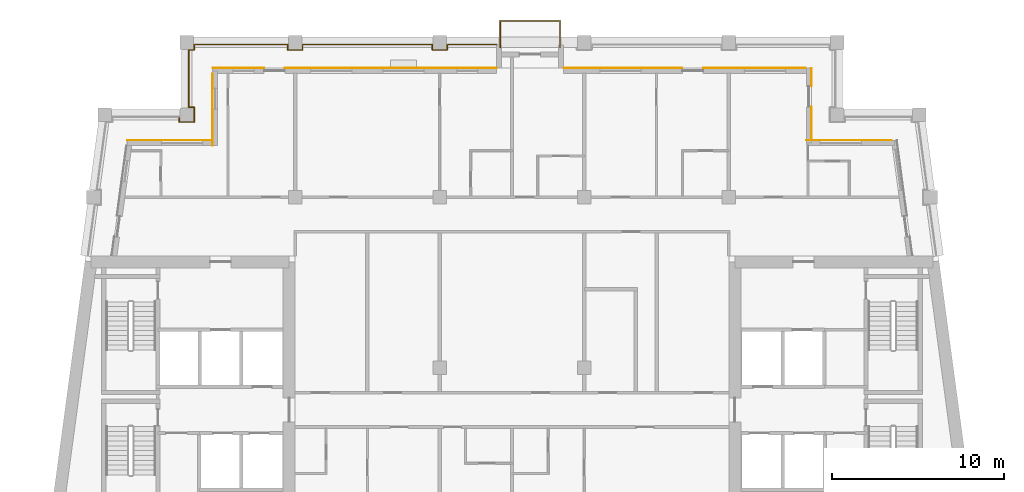
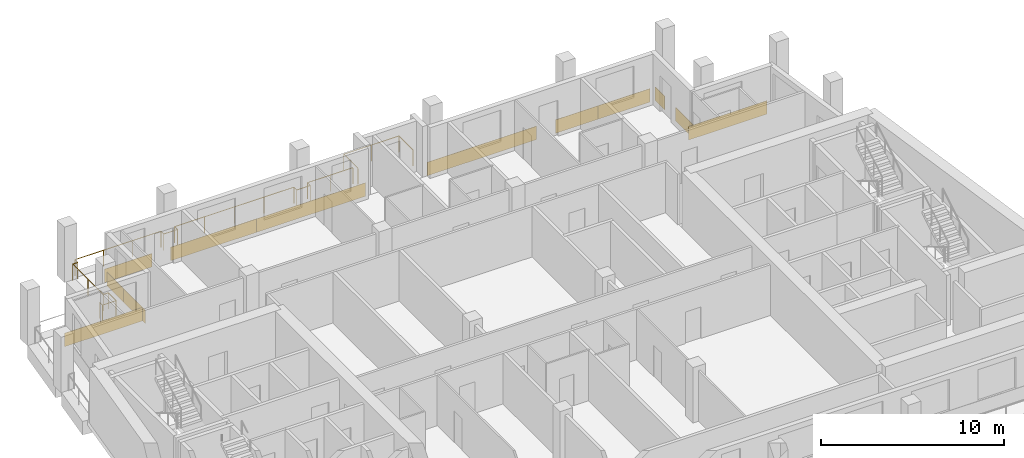
# One storey, part 12 of 13: 12 coverings, 2 railings.
"""IFC4 building model written with IfcOpenShell, lengths in metres."""

from ifc_helpers import new_model, si_unit, direction, frame, origin, origin_2d, place, context, subcontext, project, spatial, rectangle, circle, extrude, material, layer, layer_set, type_object, element, save


model = new_model("IFC4")

# Units and contexts
model_context = context("Model", 3, precision=1e-05, world=origin(), true_north=direction((0.0, 1.0)))
body_context = subcontext(model_context, "Body", "Model", "MODEL_VIEW")
ifc_project = project(units=[si_unit("LENGTHUNIT", "METRE"), si_unit("AREAUNIT", "SQUARE_METRE"), si_unit("VOLUMEUNIT", "CUBIC_METRE"), si_unit("PLANEANGLEUNIT", "RADIAN"), si_unit("MASSUNIT", "GRAM", prefix="KILO")], contexts=[model_context])

# Site, building, storey
site_placement = place(None, origin())
site = spatial("IfcSite", under=ifc_project, at=site_placement, CompositionType="ELEMENT")
building_placement = place(site_placement, origin())
building = spatial("IfcBuilding", under=site, at=building_placement, Name="Candeia Pilgrim Tower and Theatre", CompositionType="ELEMENT")
storey_placement = place(building_placement, frame((0.0, 0.0, 262.699951171875)))
storey = spatial("IfcBuildingStorey", under=building, at=storey_placement, Name="L63", CompositionType="ELEMENT", Elevation=262.699951171875)

# Railings
ifc_material_1 = material(Name="Stainless steel balustrade", Category="steel")
railing_type = type_object("IfcRailingType", Name="G1 loggia guard 1100", PredefinedType="GUARDRAIL", material=ifc_material_1)
railing_1_placement = place(storey_placement, frame((94.070068359375, 140.47998046875, 0.0)))
element("IfcRailing", 1, at=railing_1_placement, inside=storey, type_object=railing_type, Name="Guard L63.1", PredefinedType="GUARDRAIL", context=body_context, shape_type="SweptSolid", body=[
    extrude(circle(Radius=0.02392578125, at=origin_2d()), frame((0.0, 0.0, 1.076171875), z_axis=(0.0, -1.0, 0.0), x_axis=(1.0, 0.0, 0.0)), (0.0, 0.0, 1.0), 0.31005859375),
    extrude(circle(Radius=0.02392578125, at=origin_2d()), frame((0.0, -0.31005859375, 1.076171875), z_axis=(1.0, 0.0, 0.0), x_axis=(0.0, 1.0, 0.0)), (0.0, 0.0, 1.0), 0.85986328125),
    extrude(circle(Radius=0.02392578125, at=origin_2d()), frame((0.85986328125, -0.31005859375, 1.076171875), z_axis=(0.0, 1.0, 0.0), x_axis=(-1.0, 0.0, 0.0)), (0.0, 0.0, 1.0), 0.860107421875),
    extrude(circle(Radius=0.02392578125, at=origin_2d()), frame((0.85986328125, 0.550048828125, 1.076171875), z_axis=(-1.0, 0.0, 0.0), x_axis=(0.0, -1.0, 0.0)), (0.0, 0.0, 1.0), 0.309814453125),
    extrude(circle(Radius=0.02392578125, at=origin_2d()), frame((0.550048828125, 0.550048828125, 1.076171875), z_axis=(0.0, 1.0, 0.0), x_axis=(-1.0, 0.0, 0.0)), (0.0, 0.0, 1.0), 3.340087890625),
    extrude(circle(Radius=0.02392578125, at=origin_2d()), frame((0.550048828125, 3.89013671875, 1.076171875), z_axis=(1.0, 0.0, 0.0), x_axis=(0.0, 1.0, 0.0)), (0.0, 0.0, 1.0), 0.309814453125),
    extrude(circle(Radius=0.02392578125, at=origin_2d()), frame((0.85986328125, 3.89013671875, 1.076171875), z_axis=(0.0, 1.0, 0.0), x_axis=(-1.0, 0.0, 0.0)), (0.0, 0.0, 1.0), 0.309814453125),
    extrude(circle(Radius=0.02392578125, at=origin_2d()), frame((0.85986328125, 4.199951171875, 1.076171875), z_axis=(1.0, 0.0, 0.0), x_axis=(0.0, 1.0, 0.0)), (0.0, 0.0, 1.0), 5.440185546875),
    extrude(circle(Radius=0.02392578125, at=origin_2d()), frame((6.300048828125, 4.199951171875, 1.076171875), z_axis=(0.0, -1.0, 0.0), x_axis=(1.0, 0.0, 0.0)), (0.0, 0.0, 1.0), 0.309814453125),
    extrude(circle(Radius=0.02392578125, at=origin_2d()), frame((6.300048828125, 3.89013671875, 1.076171875), z_axis=(1.0, 0.0, 0.0), x_axis=(0.0, 1.0, 0.0)), (0.0, 0.0, 1.0), 0.85986328125),
    extrude(circle(Radius=0.02392578125, at=origin_2d()), frame((7.159912109375, 3.89013671875, 1.076171875), z_axis=(0.0, 1.0, 0.0), x_axis=(-1.0, 0.0, 0.0)), (0.0, 0.0, 1.0), 0.309814453125),
    extrude(circle(Radius=0.02392578125, at=origin_2d()), frame((7.159912109375, 4.199951171875, 1.076171875), z_axis=(1.0, 0.0, 0.0), x_axis=(0.0, 1.0, 0.0)), (0.0, 0.0, 1.0), 7.5400390625),
    extrude(circle(Radius=0.02392578125, at=origin_2d()), frame((14.699951171875, 4.199951171875, 1.076171875), z_axis=(0.0, -1.0, 0.0), x_axis=(1.0, 0.0, 0.0)), (0.0, 0.0, 1.0), 0.309814453125),
    extrude(circle(Radius=0.02392578125, at=origin_2d()), frame((14.699951171875, 3.89013671875, 1.076171875), z_axis=(1.0, 0.0, 0.0), x_axis=(0.0, 1.0, 0.0)), (0.0, 0.0, 1.0), 0.85986328125),
    extrude(circle(Radius=0.02392578125, at=origin_2d()), frame((15.559814453125, 3.89013671875, 1.076171875), z_axis=(0.0, 1.0, 0.0), x_axis=(-1.0, 0.0, 0.0)), (0.0, 0.0, 1.0), 0.309814453125),
    extrude(circle(Radius=0.02392578125, at=origin_2d()), frame((15.559814453125, 4.199951171875, 1.076171875), z_axis=(1.0, 0.0, 0.0), x_axis=(0.0, 1.0, 0.0)), (0.0, 0.0, 1.0), 2.8701171875),
    extrude(circle(Radius=0.02099609375, at=origin_2d()), origin(), (0.0, 0.0, 1.0), 1.052001953125),
    extrude(circle(Radius=0.02099609375, at=origin_2d()), frame((0.0, -0.31005859375, 0.0)), (0.0, 0.0, 1.0), 1.052001953125),
    extrude(circle(Radius=0.02099609375, at=origin_2d()), frame((0.85986328125, -0.31005859375, 0.0)), (0.0, 0.0, 1.0), 1.052001953125),
    extrude(circle(Radius=0.02099609375, at=origin_2d()), frame((0.85986328125, 0.550048828125, 0.0)), (0.0, 0.0, 1.0), 1.052001953125),
    extrude(circle(Radius=0.02099609375, at=origin_2d()), frame((0.550048828125, 0.550048828125, 0.0)), (0.0, 0.0, 1.0), 1.052001953125),
    extrude(circle(Radius=0.02099609375, at=origin_2d()), frame((0.550048828125, 2.22021484375, 0.0)), (0.0, 0.0, 1.0), 1.052001953125),
    extrude(circle(Radius=0.02099609375, at=origin_2d()), frame((0.550048828125, 3.89013671875, 0.0)), (0.0, 0.0, 1.0), 1.052001953125),
    extrude(circle(Radius=0.02099609375, at=origin_2d()), frame((0.85986328125, 3.89013671875, 0.0)), (0.0, 0.0, 1.0), 1.052001953125),
    extrude(circle(Radius=0.02099609375, at=origin_2d()), frame((0.85986328125, 4.199951171875, 0.0)), (0.0, 0.0, 1.0), 1.052001953125),
    extrude(circle(Radius=0.02099609375, at=origin_2d()), frame((2.67333984375, 4.199951171875, 0.0)), (0.0, 0.0, 1.0), 1.052001953125),
    extrude(circle(Radius=0.02099609375, at=origin_2d()), frame((4.486572265625, 4.199951171875, 0.0)), (0.0, 0.0, 1.0), 1.052001953125),
    extrude(circle(Radius=0.02099609375, at=origin_2d()), frame((6.300048828125, 4.199951171875, 0.0)), (0.0, 0.0, 1.0), 1.052001953125),
    extrude(circle(Radius=0.02099609375, at=origin_2d()), frame((6.300048828125, 3.89013671875, 0.0)), (0.0, 0.0, 1.0), 1.052001953125),
    extrude(circle(Radius=0.02099609375, at=origin_2d()), frame((7.159912109375, 3.89013671875, 0.0)), (0.0, 0.0, 1.0), 1.052001953125),
    extrude(circle(Radius=0.02099609375, at=origin_2d()), frame((7.159912109375, 4.199951171875, 0.0)), (0.0, 0.0, 1.0), 1.052001953125),
    extrude(circle(Radius=0.02099609375, at=origin_2d()), frame((9.044921875, 4.199951171875, 0.0)), (0.0, 0.0, 1.0), 1.052001953125),
    extrude(circle(Radius=0.02099609375, at=origin_2d()), frame((10.929931640625, 4.199951171875, 0.0)), (0.0, 0.0, 1.0), 1.052001953125),
    extrude(circle(Radius=0.02099609375, at=origin_2d()), frame((12.81494140625, 4.199951171875, 0.0)), (0.0, 0.0, 1.0), 1.052001953125),
    extrude(circle(Radius=0.02099609375, at=origin_2d()), frame((14.699951171875, 4.199951171875, 0.0)), (0.0, 0.0, 1.0), 1.052001953125),
    extrude(circle(Radius=0.02099609375, at=origin_2d()), frame((14.699951171875, 3.89013671875, 0.0)), (0.0, 0.0, 1.0), 1.052001953125),
    extrude(circle(Radius=0.02099609375, at=origin_2d()), frame((15.559814453125, 3.89013671875, 0.0)), (0.0, 0.0, 1.0), 1.052001953125),
    extrude(circle(Radius=0.02099609375, at=origin_2d()), frame((15.559814453125, 4.199951171875, 0.0)), (0.0, 0.0, 1.0), 1.052001953125),
    extrude(circle(Radius=0.02099609375, at=origin_2d()), frame((16.994873046875, 4.199951171875, 0.0)), (0.0, 0.0, 1.0), 1.052001953125),
    extrude(circle(Radius=0.02099609375, at=origin_2d()), frame((18.429931640625, 4.199951171875, 0.0)), (0.0, 0.0, 1.0), 1.052001953125),
])
railing_2_placement = place(storey_placement, frame((112.7099609375, 144.5, 0.0)))
element("IfcRailing", 2, at=railing_2_placement, inside=storey, type_object=railing_type, Name="Balcony guard L63", PredefinedType="GUARDRAIL", context=body_context, shape_type="SweptSolid", body=[
    extrude(circle(Radius=0.02392578125, at=origin_2d()), frame((0.0, 0.0, 1.076171875), z_axis=(0.0, 1.0, 0.0), x_axis=(-1.0, 0.0, 0.0)), (0.0, 0.0, 1.0), 1.5400390625),
    extrude(circle(Radius=0.02392578125, at=origin_2d()), frame((0.0, 1.5400390625, 1.076171875), z_axis=(1.0, 0.0, 0.0), x_axis=(0.0, 1.0, 0.0)), (0.0, 0.0, 1.0), 3.47998046875),
    extrude(circle(Radius=0.02392578125, at=origin_2d()), frame((3.47998046875, 1.5400390625, 1.076171875), z_axis=(0.0, -1.0, 0.0), x_axis=(1.0, 0.0, 0.0)), (0.0, 0.0, 1.0), 1.5400390625),
    extrude(circle(Radius=0.02099609375, at=origin_2d()), origin(), (0.0, 0.0, 1.0), 1.052001953125),
    extrude(circle(Radius=0.02099609375, at=origin_2d()), frame((0.0, 1.5400390625, 0.0)), (0.0, 0.0, 1.0), 1.052001953125),
    extrude(circle(Radius=0.02099609375, at=origin_2d()), frame((1.739990234375, 1.5400390625, 0.0)), (0.0, 0.0, 1.0), 1.052001953125),
    extrude(circle(Radius=0.02099609375, at=origin_2d()), frame((3.47998046875, 1.5400390625, 0.0)), (0.0, 0.0, 1.0), 1.052001953125),
    extrude(circle(Radius=0.02099609375, at=origin_2d()), frame((3.47998046875, 0.0, 0.0)), (0.0, 0.0, 1.0), 1.052001953125),
])

# Coverings
ifc_material_2 = material(Name="Glazed ceramic tile bottle green")
ifc_layer_1 = layer(ifc_material_2, 0.02001953125)
ifc_layer_set_1 = layer_set([ifc_layer_1], Name="Glazed ceramic tile bottle green")
covering_type_1 = type_object("IfcCoveringType", Name="Glazed ceramic tile bottle green", PredefinedType="CLADDING", material=ifc_layer_set_1)
covering_1_placement = place(storey_placement, frame((132.976318359375, 139.110107421875, 0.0), z_axis=(0.0, 0.0, 1.0), x_axis=(-1.0, 0.0, 0.0)))
element("IfcCovering", 3, at=covering_1_placement, inside=storey, type_object=covering_type_1, Name="Tile cladding bottle green L63", PredefinedType="CLADDING", context=body_context, shape_type="SweptSolid", body=[
    extrude(rectangle(XDim=4.95263671875, YDim=0.02001953125, at=origin_2d()), origin(), (0.0, 0.0, 1.0), 0.89990234375),
])
covering_2_placement = place(storey_placement, frame((130.81005859375, 142.77490234375, 0.0), z_axis=(0.0, 0.0, 1.0), x_axis=(0.0, 1.0, 0.0)))
element("IfcCovering", 4, at=covering_2_placement, inside=storey, type_object=covering_type_1, Name="Tile cladding bottle green L63", PredefinedType="CLADDING", context=body_context, shape_type="SweptSolid", body=[
    extrude(rectangle(XDim=1.050048828125, YDim=0.02001953125, at=origin_2d()), origin(), (0.0, 0.0, 1.0), 0.89990234375),
])
covering_3_placement = place(storey_placement, frame((128.840087890625, 143.31005859375, 0.0), z_axis=(0.0, 0.0, 1.0), x_axis=(-1.0, 0.0, 0.0)))
element("IfcCovering", 5, at=covering_3_placement, inside=storey, type_object=covering_type_1, Name="Tile cladding bottle green L63", PredefinedType="CLADDING", context=body_context, shape_type="SweptSolid", body=[
    extrude(rectangle(XDim=3.280029296875, YDim=0.02001953125, at=origin_2d()), origin(), (0.0, 0.0, 1.0), 0.89990234375),
])
covering_4_placement = place(storey_placement, frame((102.89990234375, 143.31005859375, 0.0), z_axis=(0.0, 0.0, 1.0), x_axis=(-1.0, 0.0, 0.0)))
element("IfcCovering", 6, at=covering_4_placement, inside=storey, type_object=covering_type_1, Name="Tile cladding bottle green L63", PredefinedType="CLADDING", context=body_context, shape_type="SweptSolid", body=[
    extrude(rectangle(XDim=5.39990234375, YDim=0.02001953125, at=origin_2d()), origin(), (0.0, 0.0, 1.0), 0.89990234375),
])
covering_5_placement = place(storey_placement, frame((97.5, 143.31005859375, 0.0), z_axis=(0.0, 0.0, 1.0), x_axis=(-1.0, 0.0, 0.0)))
element("IfcCovering", 7, at=covering_5_placement, inside=storey, type_object=covering_type_1, Name="Tile cladding bottle green L63", PredefinedType="CLADDING", context=body_context, shape_type="SweptSolid", body=[
    extrude(rectangle(XDim=3.0, YDim=0.02001953125, at=origin_2d()), origin(), (0.0, 0.0, 1.0), 0.89990234375),
])
covering_6_placement = place(storey_placement, frame((95.989990234375, 142.090087890625, 0.0), z_axis=(0.0, 0.0, 1.0), x_axis=(0.0, -1.0, 0.0)))
element("IfcCovering", 8, at=covering_6_placement, inside=storey, type_object=covering_type_1, Name="Tile cladding bottle green L63", PredefinedType="CLADDING", context=body_context, shape_type="SweptSolid", body=[
    extrude(rectangle(XDim=1.780029296875, YDim=0.02001953125, at=origin_2d()), origin(), (0.0, 0.0, 1.0), 0.89990234375),
])
covering_7_placement = place(storey_placement, frame((93.51318359375, 139.110107421875, 0.0), z_axis=(0.0, 0.0, 1.0), x_axis=(-1.0, 0.0, 0.0)))
element("IfcCovering", 9, at=covering_7_placement, inside=storey, type_object=covering_type_1, Name="Tile cladding bottle green L63", PredefinedType="CLADDING", context=body_context, shape_type="SweptSolid", body=[
    extrude(rectangle(XDim=4.933837890625, YDim=0.02001953125, at=origin_2d()), origin(), (0.0, 0.0, 1.0), 0.89990234375),
])
ifc_material_3 = material(Name="Glazed ceramic tile rust")
ifc_layer_2 = layer(ifc_material_3, 0.02001953125)
ifc_layer_set_2 = layer_set([ifc_layer_2], Name="Glazed ceramic tile rust")
covering_type_2 = type_object("IfcCoveringType", Name="Glazed ceramic tile rust", PredefinedType="CLADDING", material=ifc_layer_set_2)
covering_8_placement = place(storey_placement, frame((130.81005859375, 140.0849609375, 0.0), z_axis=(0.0, 0.0, 1.0), x_axis=(0.0, 1.0, 0.0)))
element("IfcCovering", 10, at=covering_8_placement, inside=storey, type_object=covering_type_2, Name="Tile cladding rust L63", PredefinedType="CLADDING", context=body_context, shape_type="SweptSolid", body=[
    extrude(rectangle(XDim=1.929931640625, YDim=0.02001953125, at=origin_2d()), origin(), (0.0, 0.0, 1.0), 0.89990234375),
])
covering_9_placement = place(storey_placement, frame((125.85009765625, 143.31005859375, 0.0), z_axis=(0.0, 0.0, 1.0), x_axis=(-1.0, 0.0, 0.0)))
element("IfcCovering", 11, at=covering_9_placement, inside=storey, type_object=covering_type_2, Name="Tile cladding rust L63", PredefinedType="CLADDING", context=body_context, shape_type="SweptSolid", body=[
    extrude(rectangle(XDim=2.699951171875, YDim=0.02001953125, at=origin_2d()), origin(), (0.0, 0.0, 1.0), 0.89990234375),
])
for number, where, z_axis, x_axis, name in (
    (12, (119.85009765625, 143.31005859375, 0.0), (0.0, 0.0, 1.0), (-1.0, 0.0, 0.0), "Tile cladding rust L63"),
    (13, (109.050048828125, 143.31005859375, 0.0), (0.0, 0.0, 1.0), (-1.0, 0.0, 0.0), "Tile cladding rust L63"),
):
    element("IfcCovering", number, at=place(storey_placement, frame(where, z_axis=z_axis, x_axis=x_axis)), inside=storey, type_object=covering_type_2, Name=name, PredefinedType="CLADDING", context=body_context, shape_type="SweptSolid", body=[
        extrude(rectangle(XDim=6.89990234375, YDim=0.02001953125, at=origin_2d()), origin(), (0.0, 0.0, 1.0), 0.89990234375),
    ])
covering_10_placement = place(storey_placement, frame((95.989990234375, 140.0, 0.0), z_axis=(0.0, 0.0, 1.0), x_axis=(0.0, -1.0, 0.0)))
element("IfcCovering", 14, at=covering_10_placement, inside=storey, type_object=covering_type_2, Name="Tile cladding rust L63", PredefinedType="CLADDING", context=body_context, shape_type="SweptSolid", body=[
    extrude(rectangle(XDim=2.39990234375, YDim=0.02001953125, at=origin_2d()), origin(), (0.0, 0.0, 1.0), 0.89990234375),
])

save(model, "model.ifc")
